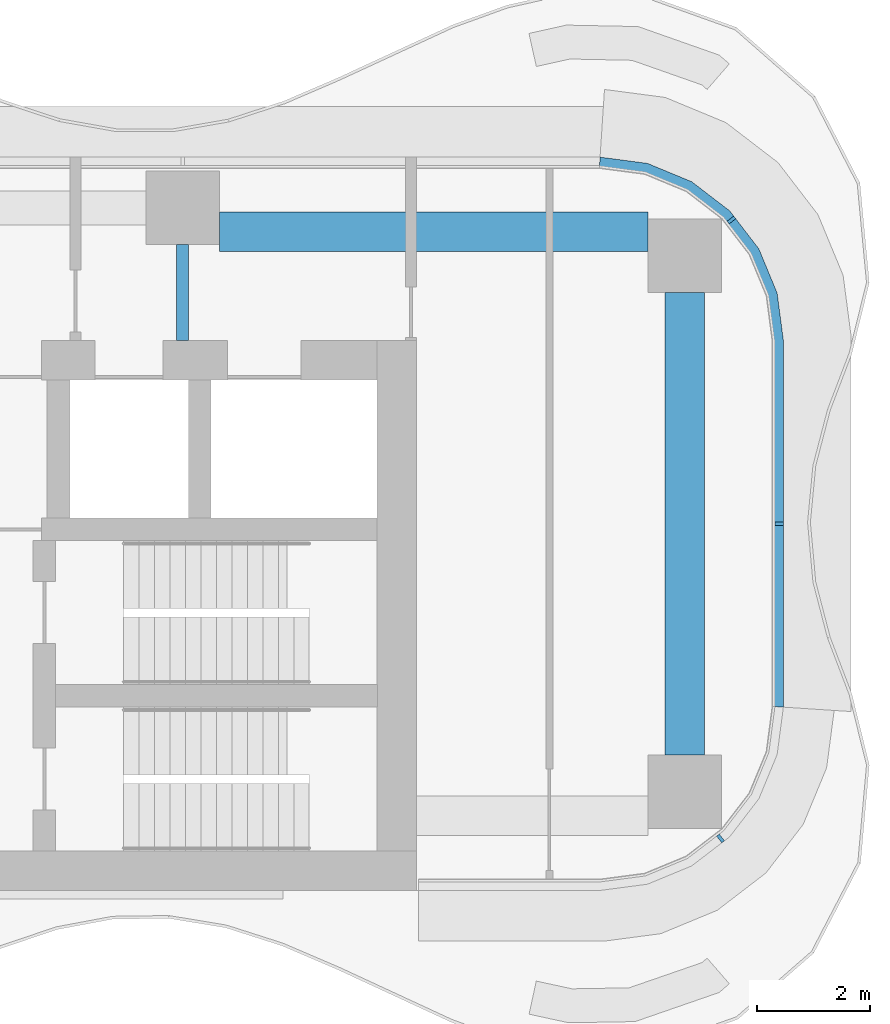
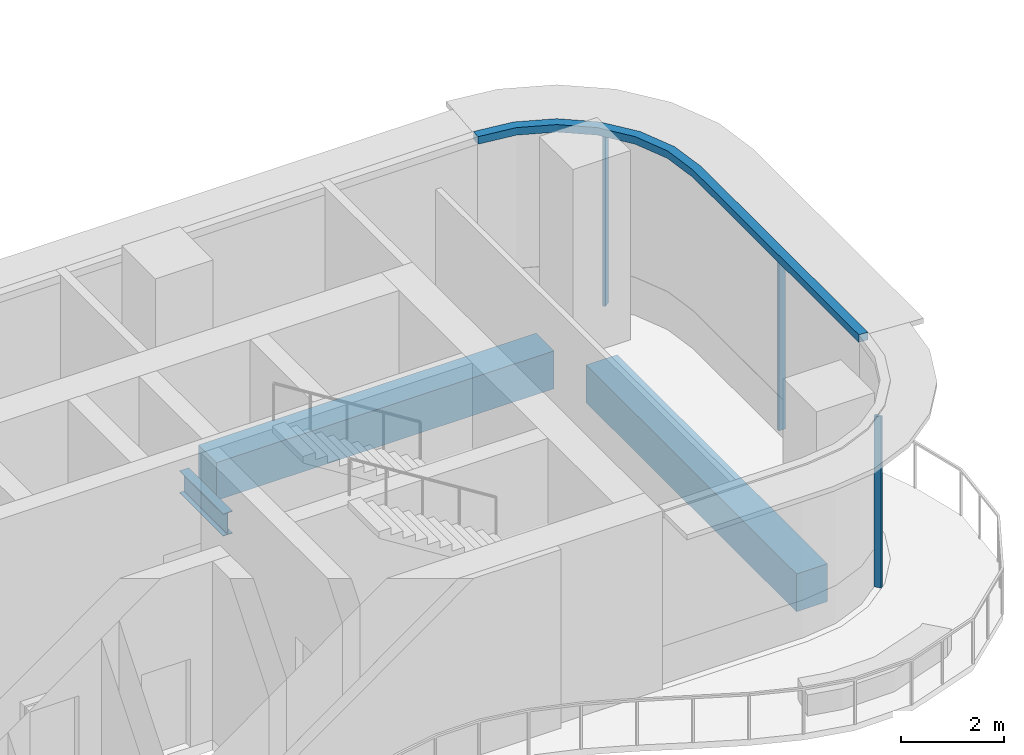
# One storey, part 7 of 20: 4 members, 3 beams, 2 elements without a shape of their own.
"""IFC4 building model written with IfcOpenShell, lengths in metres."""

from ifc_helpers import new_model, si_unit, direction, frame, origin, origin_2d, place, context, subcontext, project, spatial, polyline, rectangle, i_section, outline, extrude, source, transform, mapped, material, layer, layer_set, material_profile, profile_set, type_object, element, aggregate, save


model = new_model("IFC4")

# Units and contexts
model_context = context("Model", 3, precision=1e-05, world=origin(), true_north=direction((0.0, 1.0)))
body_context = subcontext(model_context, "Body", "Model", "MODEL_VIEW")
ifc_project = project(units=[si_unit("LENGTHUNIT", "METRE"), si_unit("AREAUNIT", "SQUARE_METRE"), si_unit("VOLUMEUNIT", "CUBIC_METRE"), si_unit("PLANEANGLEUNIT", "RADIAN"), si_unit("MASSUNIT", "GRAM", prefix="KILO")], contexts=[model_context])

# Site, building, storey
site_placement = place(None, origin())
site = spatial("IfcSite", under=ifc_project, at=site_placement, CompositionType="ELEMENT")
building_placement = place(site_placement, origin())
building = spatial("IfcBuilding", under=site, at=building_placement, Name="Trellis Farm Tower", CompositionType="ELEMENT")
storey_placement = place(building_placement, frame((0.0, 0.0, 133.5)))
storey = spatial("IfcBuildingStorey", under=building, at=storey_placement, Name="L28", CompositionType="ELEMENT", Elevation=133.5)

# Beams
ifc_material_1 = material(Name="Steel S355", Category="steel")
ifc_material_profile_1 = material_profile(ifc_material_1, i_section(OverallWidth=0.209228515625, OverallDepth=0.533203125, WebThickness=0.010009765625, FlangeThickness=0.015625, FilletRadius=0.0126953125, at=origin_2d()), Name="UB 533x210x92")
ifc_profile_set_1 = profile_set([ifc_material_profile_1], Name="Steel S355")
beam_type_1 = type_object("IfcBeamType", Name="UB 533x210x92", PredefinedType="BEAM", material=ifc_profile_set_1)
shared_shape_1 = source(origin(), body_context, "Body", "SweptSolid", [
    extrude(i_section(OverallWidth=0.209228515625, OverallDepth=0.533203125, WebThickness=0.010009765625, FlangeThickness=0.015625, FilletRadius=0.0126953125, at=origin_2d()), origin(), (0.0, 0.0, 1.0), 1.699951171875),
])
beam_1_placement = place(storey_placement, frame((18.60009765625, 3.25, -0.5166015625), z_axis=(0.0, 1.0, 0.0), x_axis=(-1.0, 0.0, 0.0)))
element("IfcBeam", 1, at=beam_1_placement, inside=storey, type_object=beam_type_1, Name="Girder", PredefinedType="BEAM", context=body_context, shape_type="MappedRepresentation", body=[
    mapped(shared_shape_1, transform((0.0, 0.0, 0.0))),
])
ifc_material_2 = material(Name="Concrete C60/75", Category="concrete")
ifc_material_profile_2 = material_profile(ifc_material_2, rectangle(XDim=0.699951171875, YDim=0.89990234375, at=origin_2d()), Name="RC spandrel beam 700x900 C60/75")
ifc_profile_set_2 = profile_set([ifc_material_profile_2], Name="Concrete C60/75")
beam_type_2 = type_object("IfcBeamType", Name="RC spandrel beam 700x900 C60/75", PredefinedType="SPANDREL", material=ifc_profile_set_2)
shared_shape_2 = source(origin(), body_context, "Body", "SweptSolid", [
    extrude(rectangle(XDim=0.699951171875, YDim=0.89990234375, at=origin_2d()), origin(), (0.0, 0.0, 1.0), 8.2001953125),
])
beam_2_placement = place(storey_placement, frame((27.5, -4.10009765625, -0.699951171875), z_axis=(0.0, 1.0, 0.0), x_axis=(-1.0, 0.0, 0.0)))
element("IfcBeam", 2, at=beam_2_placement, inside=storey, type_object=beam_type_2, Name="Girder", PredefinedType="SPANDREL", context=body_context, shape_type="MappedRepresentation", body=[
    mapped(shared_shape_2, transform((0.0, 0.0, 0.0))),
])
shared_shape_3 = source(origin(), body_context, "Body", "SweptSolid", [
    extrude(rectangle(XDim=0.699951171875, YDim=0.89990234375, at=origin_2d()), origin(), (0.0, 0.0, 1.0), 7.60009765625),
])
beam_3_placement = place(storey_placement, frame((19.25, 5.175048828125, -0.699951171875), z_axis=(1.0, 0.0, 0.0), x_axis=(0.0, 1.0, 0.0)))
element("IfcBeam", 3, at=beam_3_placement, inside=storey, type_object=beam_type_2, Name="Girder", PredefinedType="SPANDREL", context=body_context, shape_type="MappedRepresentation", body=[
    mapped(shared_shape_3, transform((0.0, 0.0, 0.0))),
])

# Curtain wall, member
ifc_material_3 = material(Name="Aluminium and glass curtain wall", Category="aluminium")
ifc_layer_1 = layer(ifc_material_3, 0.18994140625)
ifc_layer_set_1 = layer_set([ifc_layer_1], Name="RIBBON CURTAIN WALL CW1")
curtain_wall_type = type_object("IfcCurtainWallType", Name="RIBBON CURTAIN WALL CW1", PredefinedType="NOTDEFINED", material=ifc_layer_set_1)
placement = place(storey_placement, origin())
curtain_wall_1 = element("IfcCurtainWall", 4, at=placement, inside=storey, type_object=curtain_wall_type, Name="CW1 005", PredefinedType="NOTDEFINED")
ifc_material_4 = material(Name="Aluminium extrusion 6063-T6", Category="aluminium")
ifc_material_profile_3 = material_profile(ifc_material_4, rectangle(XDim=0.06005859375, YDim=0.14990234375, at=origin_2d()), Name="MULLION 60x150")
ifc_profile_set_3 = profile_set([ifc_material_profile_3], Name="Aluminium extrusion 6063-T6")
member_type_1 = type_object("IfcMemberType", Name="CW1 MULLION 60x150", PredefinedType="MULLION", material=ifc_profile_set_3)
shared_shape_4 = source(origin(), body_context, "Body", "SweptSolid", [
    extrude(rectangle(XDim=0.06005859375, YDim=0.14990234375, at=origin_2d()), origin(), (0.0, 0.0, 1.0), 4.070068359375),
])
member_1_placement = place(storey_placement, frame((28.135498046875, -5.578369140625, 0.0), z_axis=(0.0, 0.0, 1.0), x_axis=(0.793353340291, 0.608761429009, 0.0)))
member_1 = element("IfcMember", 5, at=member_1_placement, type_object=member_type_1, Name="MU1 005-01", PredefinedType="MULLION", context=body_context, shape_type="MappedRepresentation", body=[
    mapped(shared_shape_4, transform((0.0, 0.0, 0.0))),
])
aggregate(curtain_wall_1, [member_1])

# Curtain wall, members
curtain_wall_2 = element("IfcCurtainWall", 6, at=placement, inside=storey, type_object=curtain_wall_type, Name="CW1 006", PredefinedType="NOTDEFINED")
member_2_placement = place(storey_placement, frame((29.175048828125, 0.0, 0.0), z_axis=(0.0, 0.0, 1.0), x_axis=(0.0, 1.0, 0.0)))
member_2 = element("IfcMember", 7, at=member_2_placement, type_object=member_type_1, Name="MU1 006-01", PredefinedType="MULLION", context=body_context, shape_type="MappedRepresentation", body=[
    mapped(shared_shape_4, transform((0.0, 0.0, 0.0))),
])
member_3_placement = place(storey_placement, frame((28.328369140625, 5.385498046875, 0.0), z_axis=(0.0, 0.0, 1.0), x_axis=(-0.608761429009, 0.793353340291, 0.0)))
member_3 = element("IfcMember", 8, at=member_3_placement, type_object=member_type_1, Name="MU1 006-02", PredefinedType="MULLION", context=body_context, shape_type="MappedRepresentation", body=[
    mapped(shared_shape_4, transform((0.0, 0.0, 0.0))),
])
ifc_layer_2 = layer(ifc_material_4, 0.199951171875)
ifc_layer_set_2 = layer_set([ifc_layer_2], Name="Aluminium extrusion 6063-T6")
member_type_2 = type_object("IfcMemberType", Name="CW1 TRANSOM 200x180", PredefinedType="USERDEFINED", material=ifc_layer_set_2)
shared_shape_5 = source(origin(), body_context, "Body", "SweptSolid", [
    extrude(outline(polyline([(29.25, -3.25), (29.25, 3.25), (29.13916015625, 4.091064453125), (28.814697265625, 4.875), (28.298095703125, 5.548095703125), (27.625, 6.064697265625), (26.841064453125, 6.38916015625), (26.0, 6.5), (25.98681640625, 6.300048828125), (26.7890625, 6.1943359375), (27.524169921875, 5.889892578125), (28.155517578125, 5.405517578125), (28.639892578125, 4.774169921875), (28.9443359375, 4.0390625), (29.050048828125, 3.23681640625), (29.050048828125, -3.23681640625), (29.25, -3.25)])), origin(), (0.0, 0.0, 1.0), 0.179931640625),
])
member_4_placement = place(storey_placement, frame((0.0, 0.0, 4.070068359375)))
member_4 = element("IfcMember", 9, at=member_4_placement, type_object=member_type_2, Name="TR1 006", ObjectType="TRANSOM", PredefinedType="USERDEFINED", context=body_context, shape_type="MappedRepresentation", body=[
    mapped(shared_shape_5, transform((0.0, 0.0, 0.0))),
])
aggregate(curtain_wall_2, [member_2, member_3, member_4])

save(model, "model.ifc")
